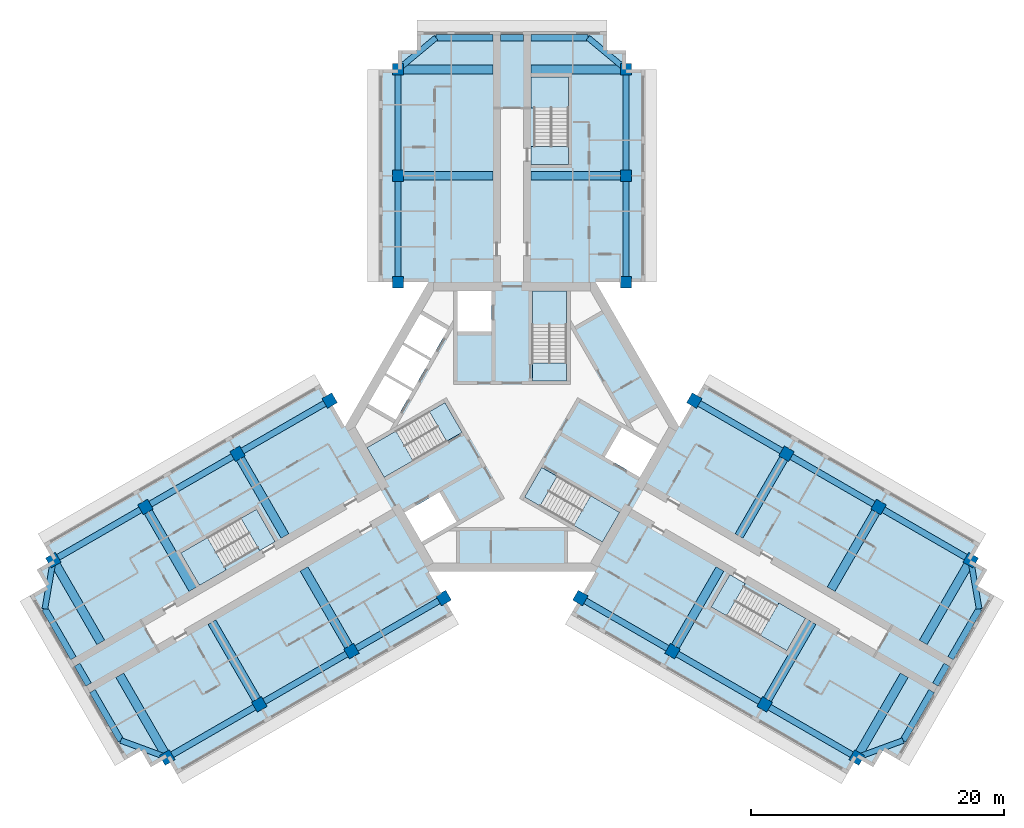
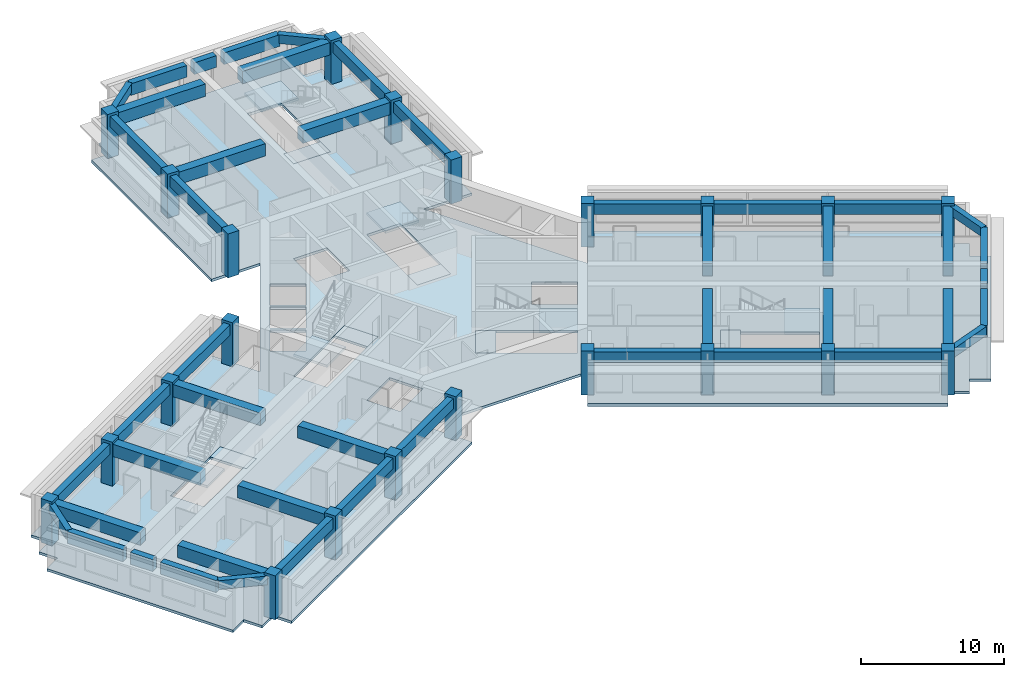
# One storey, part 1 of 10: 47 beams, 22 columns, 13 slabs, 6 elements without a shape of their own.
"""IFC4 building model written with IfcOpenShell, lengths in metres."""

from ifc_helpers import new_model, si_unit, direction, frame, origin, origin_2d, place, context, subcontext, project, spatial, polyline, rectangle, outline, extrude, material, layer, layer_set, material_profile, profile_set, type_object, element, aggregate, save


model = new_model("IFC4")

# Units and contexts
model_context = context("Model", 3, precision=1e-05, world=origin(), true_north=direction((0.0, 1.0)))
body_context = subcontext(model_context, "Body", "Model", "MODEL_VIEW")
ifc_project = project(units=[si_unit("LENGTHUNIT", "METRE"), si_unit("AREAUNIT", "SQUARE_METRE"), si_unit("VOLUMEUNIT", "CUBIC_METRE"), si_unit("PLANEANGLEUNIT", "RADIAN"), si_unit("MASSUNIT", "GRAM", prefix="KILO")], contexts=[model_context])

# Site, building, storey
site_placement = place(None, origin())
site = spatial("IfcSite", under=ifc_project, at=site_placement, CompositionType="ELEMENT")
building_placement = place(site_placement, origin())
building = spatial("IfcBuilding", under=site, at=building_placement, Name="Impinga Residences", CompositionType="ELEMENT")
storey_placement = place(building_placement, frame((0.0, 0.0, 196.0)))
storey = spatial("IfcBuildingStorey", under=building, at=storey_placement, Name="L48", CompositionType="ELEMENT", Elevation=196.0)

# Columns
ifc_material_1 = material(Name="Concrete C60/75", Category="concrete")
ifc_material_profile_1 = material_profile(ifc_material_1, rectangle(XDim=0.89990234375, YDim=0.89990234375, at=origin_2d()), Name="RC 900x900")
ifc_profile_set_1 = profile_set([ifc_material_profile_1], Name="Concrete C60/75")
column_type = type_object("IfcColumnType", Name="C4 900x900 column", PredefinedType="COLUMN", material=ifc_profile_set_1)
for number, where, z_axis, x_axis, name in (
    (1, (-9.0, 11.431640625, 0.0), (0.0, 0.0, 1.0), (1.0, 0.0, 0.0), "Column C4 N1/NA L48"),
    (2, (9.0, 11.431640625, 0.0), (0.0, 0.0, 1.0), (1.0, 0.0, 0.0), "Column C4 N1/NF L48"),
    (3, (-9.0, 19.83154296875, 0.0), (0.0, 0.0, 1.0), (1.0, 0.0, 0.0), "Column C4 N2/NA L48"),
    (4, (9.0, 19.83154296875, 0.0), (0.0, 0.0, 1.0), (1.0, 0.0, 0.0), "Column C4 N2/NF L48"),
    (5, (-9.0, 28.2314453125, 0.0), (0.0, 0.0, 1.0), (1.0, 0.0, 0.0), "Column C4 N3/NA L48"),
    (6, (9.0, 28.2314453125, 0.0), (0.0, 0.0, 1.0), (1.0, 0.0, 0.0), "Column C4 N3/NF L48"),
    (7, (-5.39990234375, -13.510009765625, 0.0), (0.0, 0.0, 1.0), (-0.5, 0.866025403784, 0.0), "Column C4 W1/WA L48"),
    (8, (-14.39990234375, 2.078369140625, 0.0), (0.0, 0.0, 1.0), (-0.5, 0.866025403784, 0.0), "Column C4 W1/WF L48"),
    (9, (-12.674560546875, -17.7099609375, 0.0), (0.0, 0.0, 1.0), (-0.5, 0.866025403784, 0.0), "Column C4 W2/WA L48"),
    (10, (-21.674560546875, -2.12158203125, 0.0), (0.0, 0.0, 1.0), (-0.5, 0.866025403784, 0.0), "Column C4 W2/WF L48"),
    (11, (-19.94921875, -21.909912109375, 0.0), (0.0, 0.0, 1.0), (-0.5, 0.866025403784, 0.0), "Column C4 W3/WA L48"),
    (12, (-28.94921875, -6.321533203125, 0.0), (0.0, 0.0, 1.0), (-0.5, 0.866025403784, 0.0), "Column C4 W3/WF L48"),
    (13, (-27.223876953125, -26.110107421875, 0.0), (0.0, 0.0, 1.0), (-0.5, 0.866025403784, 0.0), "Column C4 W4/WA L48"),
    (14, (-36.223876953125, -10.521484375, 0.0), (0.0, 0.0, 1.0), (-0.5, 0.866025403784, 0.0), "Column C4 W4/WF L48"),
    (15, (14.39990234375, 2.078369140625, 0.0), (0.0, 0.0, 1.0), (-0.5, -0.866025403784, 0.0), "Column C4 E1/EA L48"),
    (16, (5.39990234375, -13.510009765625, 0.0), (0.0, 0.0, 1.0), (-0.5, -0.866025403784, 0.0), "Column C4 E1/EF L48"),
    (17, (21.674560546875, -2.12158203125, 0.0), (0.0, 0.0, 1.0), (-0.5, -0.866025403784, 0.0), "Column C4 E2/EA L48"),
    (18, (12.674560546875, -17.7099609375, 0.0), (0.0, 0.0, 1.0), (-0.5, -0.866025403784, 0.0), "Column C4 E2/EF L48"),
    (19, (28.94921875, -6.321533203125, 0.0), (0.0, 0.0, 1.0), (-0.5, -0.866025403784, 0.0), "Column C4 E3/EA L48"),
    (20, (19.94921875, -21.909912109375, 0.0), (0.0, 0.0, 1.0), (-0.5, -0.866025403784, 0.0), "Column C4 E3/EF L48"),
    (21, (36.223876953125, -10.521484375, 0.0), (0.0, 0.0, 1.0), (-0.5, -0.866025403784, 0.0), "Column C4 E4/EA L48"),
    (22, (27.223876953125, -26.110107421875, 0.0), (0.0, 0.0, 1.0), (-0.5, -0.866025403784, 0.0), "Column C4 E4/EF L48"),
):
    element("IfcColumn", number, at=place(storey_placement, frame(where, z_axis=z_axis, x_axis=x_axis)), inside=storey, type_object=column_type, Name=name, PredefinedType="COLUMN", context=body_context, shape_type="SweptSolid", body=[
        extrude(rectangle(XDim=0.89990234375, YDim=0.89990234375, at=origin_2d()), origin(), (0.0, 0.0, 1.0), 3.75),
    ])

# Beams
ifc_material_profile_2 = material_profile(ifc_material_1, rectangle(XDim=0.449951171875, YDim=0.75, at=origin_2d()), Name="RC 450x750")
ifc_profile_set_2 = profile_set([ifc_material_profile_2], Name="Concrete C60/75")
beam_type_1 = type_object("IfcBeamType", Name="CB1 450x750 wing end cantilever beam", PredefinedType="BEAM", material=ifc_profile_set_2)
for number, where, z_axis, x_axis, name in (
    (23, (-9.0, 28.2314453125, 3.155029296875), (0.768221279597, 0.640184399664, 0.0), (-0.640184399664, 0.768221279597, 0.0), "Beam CB1 NB N3-NX level L49"),
    (24, (9.0, 28.2314453125, 3.155029296875), (-0.768221279597, 0.640184399664, 0.0), (-0.640184399664, -0.768221279597, 0.0), "Beam CB1 NE N3-NX level L49"),
    (25, (-27.223876953125, -26.110107421875, 3.155029296875), (-0.938520178725, 0.345224382289, 0.0), (-0.345224382289, -0.938520178725, 0.0), "Beam CB1 WB W4-WX level L49"),
):
    element("IfcBeam", number, at=place(storey_placement, frame(where, z_axis=z_axis, x_axis=x_axis)), inside=storey, type_object=beam_type_1, Name=name, PredefinedType="BEAM", context=body_context, shape_type="SweptSolid", body=[
        extrude(rectangle(XDim=0.449951171875, YDim=0.75, at=origin_2d()), origin(), (0.0, 0.0, 1.0), 3.905029296875),
    ])
for number, where, z_axis, x_axis, name in (
    (26, (-36.223876953125, -10.521484375, 3.155029296875), (-0.170296298948, -0.985392901621, 0.0), (0.985392901621, -0.170296298948, 0.0), "Beam CB1 WE W4-WX level L49"),
    (27, (36.223876953125, -10.521484375, 3.155029296875), (0.170296298948, -0.985392901621, 0.0), (0.985392901621, 0.170296298948, 0.0), "Beam CB1 EB E4-EX level L49"),
):
    element("IfcBeam", number, at=place(storey_placement, frame(where, z_axis=z_axis, x_axis=x_axis)), inside=storey, type_object=beam_type_1, Name=name, PredefinedType="BEAM", context=body_context, shape_type="SweptSolid", body=[
        extrude(rectangle(XDim=0.449951171875, YDim=0.75, at=origin_2d()), origin(), (0.0, 0.0, 1.0), 3.9052734375),
    ])
beam_1_placement = place(storey_placement, frame((27.223876953125, -26.110107421875, 3.155029296875), z_axis=(0.938520178725, 0.345224382289, 0.0), x_axis=(-0.345224382289, 0.938520178725, 0.0)))
element("IfcBeam", 28, at=beam_1_placement, inside=storey, type_object=beam_type_1, Name="Beam CB1 EE E4-EX level L49", PredefinedType="BEAM", context=body_context, shape_type="SweptSolid", body=[
    extrude(rectangle(XDim=0.449951171875, YDim=0.75, at=origin_2d()), origin(), (0.0, 0.0, 1.0), 3.905029296875),
])
ifc_material_profile_3 = material_profile(ifc_material_1, rectangle(XDim=0.699951171875, YDim=1.050048828125, at=origin_2d()), Name="RC 700x1050")
ifc_profile_set_3 = profile_set([ifc_material_profile_3], Name="Concrete C60/75")
beam_type_2 = type_object("IfcBeamType", Name="CG1 700x1050 cross girder on a wing bay line", PredefinedType="BEAM", material=ifc_profile_set_3)
for number, where, z_axis, x_axis, name in (
    (29, (-1.5, 19.83154296875, 3.0048828125), (-1.0, 0.0, 0.0), (0.0, -1.0, 0.0), "Beam CG1 N2 NC/NA level L49"),
    (30, (-1.5, 28.2314453125, 3.0048828125), (-1.0, 0.0, 0.0), (0.0, -1.0, 0.0), "Beam CG1 N3 NC/NA level L49"),
    (31, (1.5, 19.83154296875, 3.0048828125), (1.0, 0.0, 0.0), (0.0, 1.0, 0.0), "Beam CG1 N2 NC/NF level L49"),
    (32, (1.5, 28.2314453125, 3.0048828125), (1.0, 0.0, 0.0), (0.0, 1.0, 0.0), "Beam CG1 N3 NC/NF level L49"),
    (33, (-16.424560546875, -11.21484375, 3.0048828125), (0.500004234368, -0.866022959057, 0.0), (0.866022959057, 0.500004234368, 0.0), "Beam CG1 W2 WC/WA level L49"),
    (34, (-23.69921875, -15.414794921875, 3.0048828125), (0.500004234368, -0.866022959057, 0.0), (0.866022959057, 0.500004234368, 0.0), "Beam CG1 W3 WC/WA level L49"),
):
    element("IfcBeam", number, at=place(storey_placement, frame(where, z_axis=z_axis, x_axis=x_axis)), inside=storey, type_object=beam_type_2, Name=name, PredefinedType="BEAM", context=body_context, shape_type="SweptSolid", body=[
        extrude(rectangle(XDim=0.699951171875, YDim=1.050048828125, at=origin_2d()), origin(), (0.0, 0.0, 1.0), 7.5),
    ])
beam_2_placement = place(storey_placement, frame((-30.973876953125, -19.61474609375, 3.0048828125), z_axis=(0.499990139034, -0.866031096941, 0.0), x_axis=(0.866031096941, 0.499990139034, 0.0)))
element("IfcBeam", 35, at=beam_2_placement, inside=storey, type_object=beam_type_2, Name="Beam CG1 W4 WC/WA level L49", PredefinedType="BEAM", context=body_context, shape_type="SweptSolid", body=[
    extrude(rectangle(XDim=0.699951171875, YDim=1.050048828125, at=origin_2d()), origin(), (0.0, 0.0, 1.0), 7.500244140625),
])
for number, where, z_axis, x_axis, name in (
    (36, (-17.924560546875, -8.61669921875, 3.0048828125), (-0.500004234368, 0.866022959057, 0.0), (-0.866022959057, -0.500004234368, 0.0), "Beam CG1 W2 WC/WF level L49"),
    (37, (-25.19921875, -12.816650390625, 3.0048828125), (-0.500004234368, 0.866022959057, 0.0), (-0.866022959057, -0.500004234368, 0.0), "Beam CG1 W3 WC/WF level L49"),
):
    element("IfcBeam", number, at=place(storey_placement, frame(where, z_axis=z_axis, x_axis=x_axis)), inside=storey, type_object=beam_type_2, Name=name, PredefinedType="BEAM", context=body_context, shape_type="SweptSolid", body=[
        extrude(rectangle(XDim=0.699951171875, YDim=1.050048828125, at=origin_2d()), origin(), (0.0, 0.0, 1.0), 7.5),
    ])
beam_3_placement = place(storey_placement, frame((-32.473876953125, -17.016845703125, 3.0048828125), z_axis=(-0.499990139034, 0.866031096941, 0.0), x_axis=(-0.866031096941, -0.499990139034, 0.0)))
element("IfcBeam", 38, at=beam_3_placement, inside=storey, type_object=beam_type_2, Name="Beam CG1 W4 WC/WF level L49", PredefinedType="BEAM", context=body_context, shape_type="SweptSolid", body=[
    extrude(rectangle(XDim=0.699951171875, YDim=1.050048828125, at=origin_2d()), origin(), (0.0, 0.0, 1.0), 7.500244140625),
])
for number, where, z_axis, x_axis, name in (
    (39, (17.924560546875, -8.61669921875, 3.0048828125), (0.500004234368, 0.866022959057, 0.0), (-0.866022959057, 0.500004234368, 0.0), "Beam CG1 E2 EC/EA level L49"),
    (40, (25.19921875, -12.816650390625, 3.0048828125), (0.500004234368, 0.866022959057, 0.0), (-0.866022959057, 0.500004234368, 0.0), "Beam CG1 E3 EC/EA level L49"),
):
    element("IfcBeam", number, at=place(storey_placement, frame(where, z_axis=z_axis, x_axis=x_axis)), inside=storey, type_object=beam_type_2, Name=name, PredefinedType="BEAM", context=body_context, shape_type="SweptSolid", body=[
        extrude(rectangle(XDim=0.699951171875, YDim=1.050048828125, at=origin_2d()), origin(), (0.0, 0.0, 1.0), 7.5),
    ])
beam_4_placement = place(storey_placement, frame((32.473876953125, -17.016845703125, 3.0048828125), z_axis=(0.499990139034, 0.866031096941, 0.0), x_axis=(-0.866031096941, 0.499990139034, 0.0)))
element("IfcBeam", 41, at=beam_4_placement, inside=storey, type_object=beam_type_2, Name="Beam CG1 E4 EC/EA level L49", PredefinedType="BEAM", context=body_context, shape_type="SweptSolid", body=[
    extrude(rectangle(XDim=0.699951171875, YDim=1.050048828125, at=origin_2d()), origin(), (0.0, 0.0, 1.0), 7.500244140625),
])
for number, where, z_axis, x_axis, name in (
    (42, (16.424560546875, -11.21484375, 3.0048828125), (-0.500004234368, -0.866022959057, 0.0), (0.866022959057, -0.500004234368, 0.0), "Beam CG1 E2 EC/EF level L49"),
    (43, (23.69921875, -15.414794921875, 3.0048828125), (-0.500004234368, -0.866022959057, 0.0), (0.866022959057, -0.500004234368, 0.0), "Beam CG1 E3 EC/EF level L49"),
):
    element("IfcBeam", number, at=place(storey_placement, frame(where, z_axis=z_axis, x_axis=x_axis)), inside=storey, type_object=beam_type_2, Name=name, PredefinedType="BEAM", context=body_context, shape_type="SweptSolid", body=[
        extrude(rectangle(XDim=0.699951171875, YDim=1.050048828125, at=origin_2d()), origin(), (0.0, 0.0, 1.0), 7.5),
    ])
beam_5_placement = place(storey_placement, frame((30.973876953125, -19.61474609375, 3.0048828125), z_axis=(-0.499990139034, -0.866031096941, 0.0), x_axis=(0.866031096941, -0.499990139034, 0.0)))
element("IfcBeam", 44, at=beam_5_placement, inside=storey, type_object=beam_type_2, Name="Beam CG1 E4 EC/EF level L49", PredefinedType="BEAM", context=body_context, shape_type="SweptSolid", body=[
    extrude(rectangle(XDim=0.699951171875, YDim=1.050048828125, at=origin_2d()), origin(), (0.0, 0.0, 1.0), 7.500244140625),
])
ifc_material_profile_4 = material_profile(ifc_material_1, rectangle(XDim=0.5, YDim=1.0, at=origin_2d()), Name="RC 500x1000")
ifc_profile_set_4 = profile_set([ifc_material_profile_4], Name="Concrete C60/75")
beam_type_3 = type_object("IfcBeamType", Name="EB1 500x1000 wing end beam", PredefinedType="BEAM", material=ifc_profile_set_4)
beam_6_placement = place(storey_placement, frame((-6.0, 30.7314453125, 3.030029296875), z_axis=(1.0, 0.0, 0.0), x_axis=(0.0, 1.0, 0.0)))
element("IfcBeam", 45, at=beam_6_placement, inside=storey, type_object=beam_type_3, Name="Beam EB1 NX2 level L49", PredefinedType="BEAM", context=body_context, shape_type="SweptSolid", body=[
    extrude(rectangle(XDim=0.5, YDim=1.0, at=origin_2d()), origin(), (0.0, 0.0, 1.0), 4.5),
])
beam_7_placement = place(storey_placement, frame((-0.89990234375, 30.7314453125, 3.030029296875), z_axis=(1.0, 0.0, 0.0), x_axis=(0.0, 1.0, 0.0)))
element("IfcBeam", 46, at=beam_7_placement, inside=storey, type_object=beam_type_3, Name="Beam EB1 NX2 level L49", PredefinedType="BEAM", context=body_context, shape_type="SweptSolid", body=[
    extrude(rectangle(XDim=0.5, YDim=1.0, at=origin_2d()), origin(), (0.0, 0.0, 1.0), 1.7998046875),
])
for number, where, z_axis, x_axis, name in (
    (47, (1.5, 30.7314453125, 3.030029296875), (1.0, 0.0, 0.0), (0.0, 1.0, 0.0), "Beam EB1 NX2 level L49"),
    (48, (-30.888916015625, -24.761962890625, 3.030029296875), (-0.499990139034, 0.866031096941, 0.0), (-0.866031096941, -0.499990139034, 0.0), "Beam EB1 WX3 level L49"),
):
    element("IfcBeam", number, at=place(storey_placement, frame(where, z_axis=z_axis, x_axis=x_axis)), inside=storey, type_object=beam_type_3, Name=name, PredefinedType="BEAM", context=body_context, shape_type="SweptSolid", body=[
        extrude(rectangle(XDim=0.5, YDim=1.0, at=origin_2d()), origin(), (0.0, 0.0, 1.0), 4.5),
    ])
beam_8_placement = place(storey_placement, frame((-33.43896484375, -20.34521484375, 3.030029296875), z_axis=(-0.499961193289, 0.866047807691, 0.0), x_axis=(-0.866047807691, -0.499961193289, 0.0)))
element("IfcBeam", 49, at=beam_8_placement, inside=storey, type_object=beam_type_3, Name="Beam EB1 WX3 level L49", PredefinedType="BEAM", context=body_context, shape_type="SweptSolid", body=[
    extrude(rectangle(XDim=0.5, YDim=1.0, at=origin_2d()), origin(), (0.0, 0.0, 1.0), 1.800048828125),
])
for number, where, z_axis, x_axis, name in (
    (50, (-34.638916015625, -18.266845703125, 3.030029296875), (-0.499990139034, 0.866031096941, 0.0), (-0.866031096941, -0.499990139034, 0.0), "Beam EB1 WX3 level L49"),
    (51, (36.888916015625, -14.36962890625, 3.030029296875), (-0.499990139034, -0.866031096941, 0.0), (0.866031096941, -0.499990139034, 0.0), "Beam EB1 EX3 level L49"),
):
    element("IfcBeam", number, at=place(storey_placement, frame(where, z_axis=z_axis, x_axis=x_axis)), inside=storey, type_object=beam_type_3, Name=name, PredefinedType="BEAM", context=body_context, shape_type="SweptSolid", body=[
        extrude(rectangle(XDim=0.5, YDim=1.0, at=origin_2d()), origin(), (0.0, 0.0, 1.0), 4.5),
    ])
beam_9_placement = place(storey_placement, frame((34.3388671875, -18.786376953125, 3.030029296875), z_axis=(-0.499961193289, -0.866047807691, 0.0), x_axis=(0.866047807691, -0.499961193289, 0.0)))
element("IfcBeam", 52, at=beam_9_placement, inside=storey, type_object=beam_type_3, Name="Beam EB1 EX3 level L49", PredefinedType="BEAM", context=body_context, shape_type="SweptSolid", body=[
    extrude(rectangle(XDim=0.5, YDim=1.0, at=origin_2d()), origin(), (0.0, 0.0, 1.0), 1.800048828125),
])
beam_10_placement = place(storey_placement, frame((33.138916015625, -20.86474609375, 3.030029296875), z_axis=(-0.499990139034, -0.866031096941, 0.0), x_axis=(0.866031096941, -0.499990139034, 0.0)))
element("IfcBeam", 53, at=beam_10_placement, inside=storey, type_object=beam_type_3, Name="Beam EB1 EX3 level L49", PredefinedType="BEAM", context=body_context, shape_type="SweptSolid", body=[
    extrude(rectangle(XDim=0.5, YDim=1.0, at=origin_2d()), origin(), (0.0, 0.0, 1.0), 4.5),
])
ifc_material_profile_5 = material_profile(ifc_material_1, rectangle(XDim=0.5, YDim=0.89990234375, at=origin_2d()), Name="RC 500x900")
ifc_profile_set_5 = profile_set([ifc_material_profile_5], Name="Concrete C60/75")
beam_type_4 = type_object("IfcBeamType", Name="SB1 500x900 perimeter spandrel beam", PredefinedType="SPANDREL", material=ifc_profile_set_5)
for number, where, z_axis, x_axis, name in (
    (54, (-9.0, 11.431640625, 3.080078125), (0.0, 1.0, 0.0), (-1.0, 0.0, 0.0), "Beam SB1 NA N1-N2 level L49"),
    (55, (-9.0, 19.83154296875, 3.080078125), (0.0, 1.0, 0.0), (-1.0, 0.0, 0.0), "Beam SB1 NA N2-N3 level L49"),
    (56, (9.0, 11.431640625, 3.080078125), (0.0, 1.0, 0.0), (-1.0, 0.0, 0.0), "Beam SB1 NF N1-N2 level L49"),
    (57, (9.0, 19.83154296875, 3.080078125), (0.0, 1.0, 0.0), (-1.0, 0.0, 0.0), "Beam SB1 NF N2-N3 level L49"),
    (58, (-5.39990234375, -13.510009765625, 3.080078125), (-0.86602925447, -0.499993330357, 0.0), (0.499993330357, -0.86602925447, 0.0), "Beam SB1 WA W1-W2 level L49"),
    (59, (-12.674560546875, -17.7099609375, 3.080078125), (-0.86602925447, -0.499993330357, 0.0), (0.499993330357, -0.86602925447, 0.0), "Beam SB1 WA W2-W3 level L49"),
):
    element("IfcBeam", number, at=place(storey_placement, frame(where, z_axis=z_axis, x_axis=x_axis)), inside=storey, type_object=beam_type_4, Name=name, PredefinedType="SPANDREL", context=body_context, shape_type="SweptSolid", body=[
        extrude(rectangle(XDim=0.5, YDim=0.89990234375, at=origin_2d()), origin(), (0.0, 0.0, 1.0), 8.39990234375),
    ])
beam_11_placement = place(storey_placement, frame((-19.94921875, -21.909912109375, 3.080078125), z_axis=(-0.866016669275, -0.500015128309, 0.0), x_axis=(0.500015128309, -0.866016669275, 0.0)))
element("IfcBeam", 60, at=beam_11_placement, inside=storey, type_object=beam_type_4, Name="Beam SB1 WA W3-W4 level L49", PredefinedType="SPANDREL", context=body_context, shape_type="SweptSolid", body=[
    extrude(rectangle(XDim=0.5, YDim=0.89990234375, at=origin_2d()), origin(), (0.0, 0.0, 1.0), 8.400146484375),
])
for number, where, z_axis, x_axis, name in (
    (61, (-14.39990234375, 2.078369140625, 3.080078125), (-0.86602925447, -0.499993330357, 0.0), (0.499993330357, -0.86602925447, 0.0), "Beam SB1 WF W1-W2 level L49"),
    (62, (-21.674560546875, -2.12158203125, 3.080078125), (-0.86602925447, -0.499993330357, 0.0), (0.499993330357, -0.86602925447, 0.0), "Beam SB1 WF W2-W3 level L49"),
    (63, (-28.94921875, -6.321533203125, 3.080078125), (-0.86602925447, -0.499993330357, 0.0), (0.499993330357, -0.86602925447, 0.0), "Beam SB1 WF W3-W4 level L49"),
    (64, (14.39990234375, 2.078369140625, 3.080078125), (0.86602925447, -0.499993330357, 0.0), (0.499993330357, 0.86602925447, 0.0), "Beam SB1 EA E1-E2 level L49"),
    (65, (21.674560546875, -2.12158203125, 3.080078125), (0.86602925447, -0.499993330357, 0.0), (0.499993330357, 0.86602925447, 0.0), "Beam SB1 EA E2-E3 level L49"),
    (66, (28.94921875, -6.321533203125, 3.080078125), (0.86602925447, -0.499993330357, 0.0), (0.499993330357, 0.86602925447, 0.0), "Beam SB1 EA E3-E4 level L49"),
    (67, (5.39990234375, -13.510009765625, 3.080078125), (0.86602925447, -0.499993330357, 0.0), (0.499993330357, 0.86602925447, 0.0), "Beam SB1 EF E1-E2 level L49"),
    (68, (12.674560546875, -17.7099609375, 3.080078125), (0.86602925447, -0.499993330357, 0.0), (0.499993330357, 0.86602925447, 0.0), "Beam SB1 EF E2-E3 level L49"),
):
    element("IfcBeam", number, at=place(storey_placement, frame(where, z_axis=z_axis, x_axis=x_axis)), inside=storey, type_object=beam_type_4, Name=name, PredefinedType="SPANDREL", context=body_context, shape_type="SweptSolid", body=[
        extrude(rectangle(XDim=0.5, YDim=0.89990234375, at=origin_2d()), origin(), (0.0, 0.0, 1.0), 8.39990234375),
    ])
beam_12_placement = place(storey_placement, frame((19.94921875, -21.909912109375, 3.080078125), z_axis=(0.866016669275, -0.500015128309, 0.0), x_axis=(0.500015128309, 0.866016669275, 0.0)))
element("IfcBeam", 69, at=beam_12_placement, inside=storey, type_object=beam_type_4, Name="Beam SB1 EF E3-E4 level L49", PredefinedType="SPANDREL", context=body_context, shape_type="SweptSolid", body=[
    extrude(rectangle(XDim=0.5, YDim=0.89990234375, at=origin_2d()), origin(), (0.0, 0.0, 1.0), 8.400146484375),
])

# Slab
ifc_layer_1 = layer(ifc_material_1, 0.219970703125)
ifc_layer_set_1 = layer_set([ifc_layer_1], Name="Concrete C60/75")
slab_type_1 = type_object("IfcSlabType", Name="FS1 tower floor slab 220", PredefinedType="FLOOR", material=ifc_layer_set_1)
slab_1_placement = place(storey_placement, frame((0.0, 0.0, -0.219970703125)))
element("IfcSlab", 70, at=slab_1_placement, inside=storey, type_object=slab_type_1, Name="Floor slab FS1 L48", PredefinedType="FLOOR", context=body_context, shape_type="SweptSolid", body=[
    extrude(outline(polyline([(-27.223876953125, -26.110107421875), (-28.52294921875, -26.860107421875), (-29.27294921875, -25.56103515625), (-30.572021484375, -26.31103515625), (-38.072021484375, -13.320556640625), (-36.77294921875, -12.570556640625), (-37.52294921875, -11.271484375), (-36.223876953125, -10.521484375), (-36.973876953125, -9.222412109375), (-15.14990234375, 3.37744140625), (-13.199951171875, 0.0), (-6.60009765625, 11.431640625), (-10.5, 11.431640625), (-10.5, 28.2314453125), (-9.0, 28.2314453125), (-9.0, 29.7314453125), (-7.5, 29.7314453125), (-7.5, 31.2314453125), (7.5, 31.2314453125), (7.5, 29.7314453125), (9.0, 29.7314453125), (9.0, 28.2314453125), (10.5, 28.2314453125), (10.5, 11.431640625), (6.60009765625, 11.431640625), (13.199951171875, 0.0), (15.14990234375, 3.37744140625), (36.973876953125, -9.222412109375), (36.223876953125, -10.521484375), (37.52294921875, -11.271484375), (36.77294921875, -12.570556640625), (38.072021484375, -13.320556640625), (30.572021484375, -26.31103515625), (29.27294921875, -25.56103515625), (28.52294921875, -26.860107421875), (27.223876953125, -26.110107421875), (26.473876953125, -27.408935546875), (4.64990234375, -14.80908203125), (9.900146484375, -5.7158203125), (6.60009765625, -11.431640625), (-6.60009765625, -11.431640625), (-9.900146484375, -5.7158203125), (-4.64990234375, -14.80908203125), (-26.473876953125, -27.408935546875), (-27.223876953125, -26.110107421875)]), holes=[polyline([(-18.7041015625, -9.066650390625), (-18.8291015625, -8.850341796875), (-18.8291015625, -8.850341796875), (-20.178955078125, -6.511962890625), (-21.391357421875, -7.2119140625), (-21.391357421875, -7.2119140625), (-26.154541015625, -9.9619140625), (-24.8046875, -12.30029296875), (-20.04150390625, -9.55029296875), (-19.91650390625, -9.766845703125), (-18.7041015625, -9.066650390625)]), polyline([(-5.72119140625, -5.150634765625), (-8.493896484375, -6.75146484375), (-7.143798828125, -9.089599609375), (-4.37109375, -7.489013671875), (-5.72119140625, -5.150634765625)]), polyline([(-5.293701171875, 1.908935546875), (-11.44384765625, -1.641845703125), (-10.09375, -3.980224609375), (-3.943603515625, -0.429443359375), (-5.293701171875, 1.908935546875)]), polyline([(-7.878662109375, 2.816650390625), (-10.043701171875, 4.066650390625), (-11.34375, 1.81494140625), (-9.1787109375, 0.56494140625), (-7.878662109375, 2.816650390625)]), polyline([(-6.478759765625, 5.24169921875), (-8.643798828125, 6.49169921875), (-9.94384765625, 4.239990234375), (-7.77880859375, 2.989990234375), (-6.478759765625, 5.24169921875)]), polyline([(-6.378662109375, 5.414794921875), (-5.07861328125, 7.66650390625), (-7.243896484375, 8.91650390625), (-8.543701171875, 6.664794921875), (-6.378662109375, 5.414794921875)]), polyline([(-4.300048828125, 7.530029296875), (-1.60009765625, 7.530029296875), (-1.60009765625, 10.7314453125), (-4.300048828125, 10.7314453125), (-4.300048828125, 7.530029296875)]), polyline([(15.72900390625, -14.219482421875), (21.70458984375, -17.669677734375), (23.0546875, -15.331298828125), (18.29150390625, -12.581298828125), (18.41650390625, -12.36474609375), (17.2041015625, -11.664794921875), (15.72900390625, -14.219482421875)]), polyline([(0.99365234375, -5.538818359375), (7.143798828125, -9.089599609375), (8.493896484375, -6.75146484375), (2.34375, -3.20068359375), (0.99365234375, -5.538818359375)]), polyline([(7.3212890625, -2.37939453125), (10.09375, -3.980224609375), (11.44384765625, -1.641845703125), (8.671142578125, -0.041015625), (7.3212890625, -2.37939453125)]), polyline([(4.300048828125, 3.6298828125), (4.300048828125, 10.7314453125), (1.60009765625, 10.7314453125), (1.60009765625, 3.6298828125), (4.300048828125, 3.6298828125)]), polyline([(1.75, 22.131591796875), (1.5, 22.131591796875), (1.5, 20.7314453125), (1.75, 20.7314453125), (4.449951171875, 20.7314453125), (4.449951171875, 22.131591796875), (4.449951171875, 27.631591796875), (1.75, 27.631591796875), (1.75, 22.131591796875)])]), origin(), (0.0, 0.0, 1.0), 0.219970703125),
])

# Stair, slabs
ifc_material_2 = material(Name="Concrete C40/50", Category="concrete")
stair_type_1 = type_object("IfcStairType", Name="STR core stair 3750 storey, 24 risers", PredefinedType="HALF_TURN_STAIR", material=ifc_material_2)
stair_1_placement = place(storey_placement, origin())
stair_1 = element("IfcStair", 71, at=stair_1_placement, inside=storey, type_object=stair_type_1, Name="Stair ST1 L48", PredefinedType="HALF_TURN_STAIR")
ifc_layer_2 = layer(ifc_material_2, 0.199951171875)
ifc_layer_set_2 = layer_set([ifc_layer_2], Name="Concrete C40/50")
slab_type_2 = type_object("IfcSlabType", Name="LS1 stair landing 200", PredefinedType="LANDING", material=ifc_layer_set_2)
slab_2_placement = place(storey_placement, frame((0.0, 0.0, -0.199951171875)))
slab_2 = element("IfcSlab", 72, at=slab_2_placement, type_object=slab_type_2, Name="ST1 landing 1", PredefinedType="LANDING", context=body_context, shape_type="SweptSolid", body=[
    extrude(outline(polyline([(1.60009765625, 3.6298828125), (4.300048828125, 3.6298828125), (4.300048828125, 5.0400390625), (1.60009765625, 5.0400390625), (1.60009765625, 3.6298828125)])), origin(), (0.0, 0.0, 1.0), 0.199951171875),
])
slab_3_placement = place(storey_placement, frame((0.0, 0.0, 1.675048828125)))
slab_3 = element("IfcSlab", 73, at=slab_3_placement, type_object=slab_type_2, Name="ST1 landing 2", PredefinedType="LANDING", context=body_context, shape_type="SweptSolid", body=[
    extrude(outline(polyline([(1.60009765625, 8.10009765625), (4.300048828125, 8.10009765625), (4.300048828125, 10.7314453125), (1.60009765625, 10.7314453125), (1.60009765625, 8.10009765625)])), origin(), (0.0, 0.0, 1.0), 0.199951171875),
])
aggregate(stair_1, [slab_2, slab_3])

stair_2_placement = place(storey_placement, origin())
stair_2 = element("IfcStair", 74, at=stair_2_placement, inside=storey, type_object=stair_type_1, Name="Stair ST2 L48", PredefinedType="HALF_TURN_STAIR")
slab_4_placement = place(storey_placement, frame((0.0, 0.0, -0.199951171875)))
slab_4 = element("IfcSlab", 75, at=slab_4_placement, type_object=slab_type_2, Name="ST2 landing 1", PredefinedType="LANDING", context=body_context, shape_type="SweptSolid", body=[
    extrude(outline(polyline([(-3.943603515625, -0.429443359375), (-5.293701171875, 1.908935546875), (-6.5146484375, 1.203857421875), (-5.164794921875, -1.13427734375), (-3.943603515625, -0.429443359375)])), origin(), (0.0, 0.0, 1.0), 0.199951171875),
])
slab_5_placement = place(storey_placement, frame((0.0, 0.0, 1.675048828125)))
slab_5 = element("IfcSlab", 76, at=slab_5_placement, type_object=slab_type_2, Name="ST2 landing 2", PredefinedType="LANDING", context=body_context, shape_type="SweptSolid", body=[
    extrude(outline(polyline([(-7.814697265625, -2.664306640625), (-9.164794921875, -0.326171875), (-11.44384765625, -1.641845703125), (-10.09375, -3.980224609375), (-7.814697265625, -2.664306640625)])), origin(), (0.0, 0.0, 1.0), 0.199951171875),
])
aggregate(stair_2, [slab_4, slab_5])

stair_3_placement = place(storey_placement, origin())
stair_3 = element("IfcStair", 77, at=stair_3_placement, inside=storey, type_object=stair_type_1, Name="Stair ST3 L48", PredefinedType="HALF_TURN_STAIR")
slab_6_placement = place(storey_placement, frame((0.0, 0.0, -0.199951171875)))
slab_6 = element("IfcSlab", 78, at=slab_6_placement, type_object=slab_type_2, Name="ST3 landing 1", PredefinedType="LANDING", context=body_context, shape_type="SweptSolid", body=[
    extrude(outline(polyline([(2.34375, -3.20068359375), (0.99365234375, -5.538818359375), (2.21484375, -6.243896484375), (3.564697265625, -3.90576171875), (2.34375, -3.20068359375)])), origin(), (0.0, 0.0, 1.0), 0.199951171875),
])
slab_7_placement = place(storey_placement, frame((0.0, 0.0, 1.675048828125)))
slab_7 = element("IfcSlab", 79, at=slab_7_placement, type_object=slab_type_2, Name="ST3 landing 2", PredefinedType="LANDING", context=body_context, shape_type="SweptSolid", body=[
    extrude(outline(polyline([(6.21484375, -5.435546875), (4.86474609375, -7.77392578125), (7.143798828125, -9.089599609375), (8.493896484375, -6.75146484375), (6.21484375, -5.435546875)])), origin(), (0.0, 0.0, 1.0), 0.199951171875),
])
aggregate(stair_3, [slab_6, slab_7])

stair_type_2 = type_object("IfcStairType", Name="STR wing stair 3750 storey, 24 risers", PredefinedType="HALF_TURN_STAIR", material=ifc_material_2)
stair_4_placement = place(storey_placement, origin())
stair_4 = element("IfcStair", 80, at=stair_4_placement, inside=storey, type_object=stair_type_2, Name="Stair WS1 L48", PredefinedType="HALF_TURN_STAIR")
slab_8_placement = place(storey_placement, frame((0.0, 0.0, -0.199951171875)))
slab_8 = element("IfcSlab", 81, at=slab_8_placement, type_object=slab_type_2, Name="WS1 landing 1", PredefinedType="LANDING", context=body_context, shape_type="SweptSolid", body=[
    extrude(outline(polyline([(1.5, 20.7314453125), (4.449951171875, 20.7314453125), (4.449951171875, 22.1416015625), (1.5, 22.1416015625), (1.5, 20.7314453125)])), origin(), (0.0, 0.0, 1.0), 0.199951171875),
])
slab_9_placement = place(storey_placement, frame((0.0, 0.0, 1.675048828125)))
slab_9 = element("IfcSlab", 82, at=slab_9_placement, type_object=slab_type_2, Name="WS1 landing 2", PredefinedType="LANDING", context=body_context, shape_type="SweptSolid", body=[
    extrude(outline(polyline([(1.5, 25.201416015625), (4.449951171875, 25.201416015625), (4.449951171875, 27.631591796875), (1.5, 27.631591796875), (1.5, 25.201416015625)])), origin(), (0.0, 0.0, 1.0), 0.199951171875),
])
aggregate(stair_4, [slab_8, slab_9])

stair_5_placement = place(storey_placement, origin())
stair_5 = element("IfcStair", 83, at=stair_5_placement, inside=storey, type_object=stair_type_2, Name="Stair WS2 L48", PredefinedType="HALF_TURN_STAIR")
slab_10_placement = place(storey_placement, frame((0.0, 0.0, -0.199951171875)))
slab_10 = element("IfcSlab", 84, at=slab_10_placement, type_object=slab_type_2, Name="WS2 landing 1", PredefinedType="LANDING", context=body_context, shape_type="SweptSolid", body=[
    extrude(outline(polyline([(-18.7041015625, -9.066650390625), (-20.178955078125, -6.511962890625), (-21.400146484375, -7.217041015625), (-19.925048828125, -9.771728515625), (-18.7041015625, -9.066650390625)])), origin(), (0.0, 0.0, 1.0), 0.199951171875),
])
slab_11_placement = place(storey_placement, frame((0.0, 0.0, 1.675048828125)))
slab_11 = element("IfcSlab", 85, at=slab_11_placement, type_object=slab_type_2, Name="WS2 landing 2", PredefinedType="LANDING", context=body_context, shape_type="SweptSolid", body=[
    extrude(outline(polyline([(-22.5751953125, -11.3017578125), (-24.050048828125, -8.7470703125), (-26.154541015625, -9.9619140625), (-24.6796875, -12.516845703125), (-22.5751953125, -11.3017578125)])), origin(), (0.0, 0.0, 1.0), 0.199951171875),
])
aggregate(stair_5, [slab_10, slab_11])

stair_6_placement = place(storey_placement, origin())
stair_6 = element("IfcStair", 86, at=stair_6_placement, inside=storey, type_object=stair_type_2, Name="Stair WS3 L48", PredefinedType="HALF_TURN_STAIR")
slab_12_placement = place(storey_placement, frame((0.0, 0.0, -0.199951171875)))
slab_12 = element("IfcSlab", 87, at=slab_12_placement, type_object=slab_type_2, Name="WS3 landing 1", PredefinedType="LANDING", context=body_context, shape_type="SweptSolid", body=[
    extrude(outline(polyline([(17.2041015625, -11.664794921875), (15.72900390625, -14.219482421875), (16.9501953125, -14.924560546875), (18.425048828125, -12.369873046875), (17.2041015625, -11.664794921875)])), origin(), (0.0, 0.0, 1.0), 0.199951171875),
])
slab_13_placement = place(storey_placement, frame((0.0, 0.0, 1.675048828125)))
slab_13 = element("IfcSlab", 88, at=slab_13_placement, type_object=slab_type_2, Name="WS3 landing 2", PredefinedType="LANDING", context=body_context, shape_type="SweptSolid", body=[
    extrude(outline(polyline([(21.0751953125, -13.89990234375), (19.60009765625, -16.45458984375), (21.70458984375, -17.669677734375), (23.1796875, -15.11474609375), (21.0751953125, -13.89990234375)])), origin(), (0.0, 0.0, 1.0), 0.199951171875),
])
aggregate(stair_6, [slab_12, slab_13])

save(model, "model.ifc")
